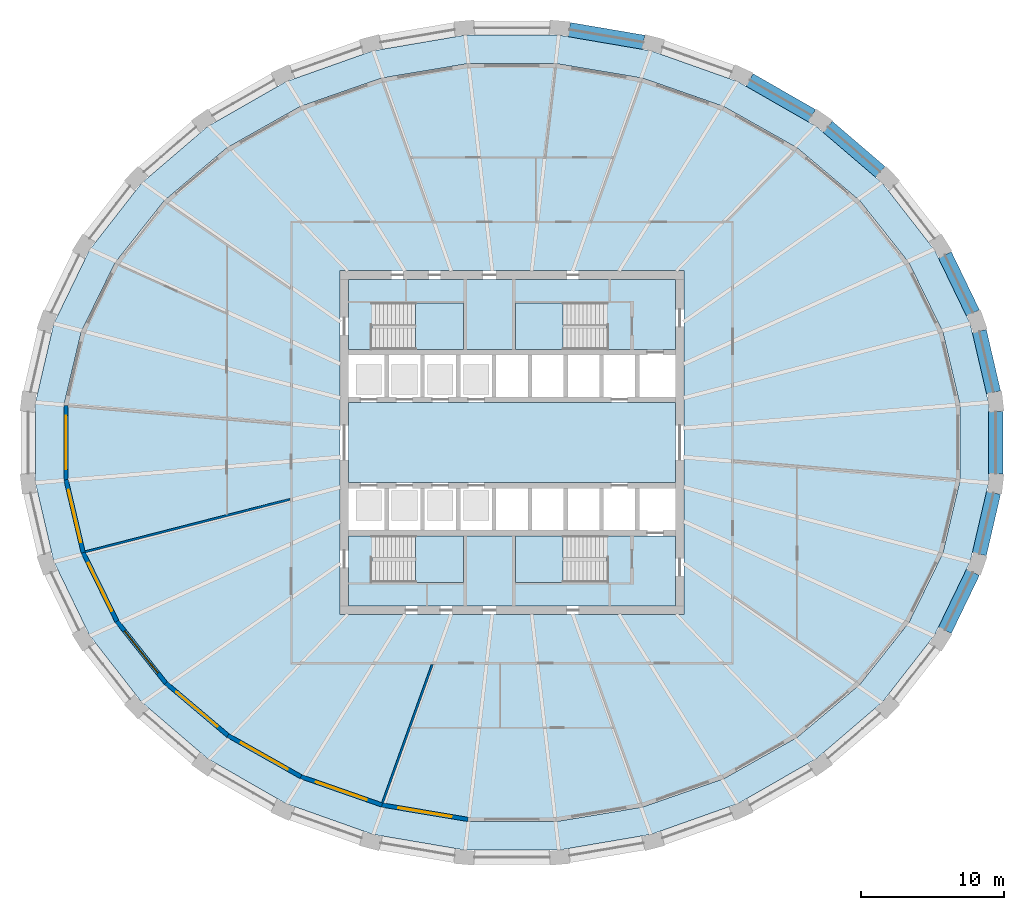
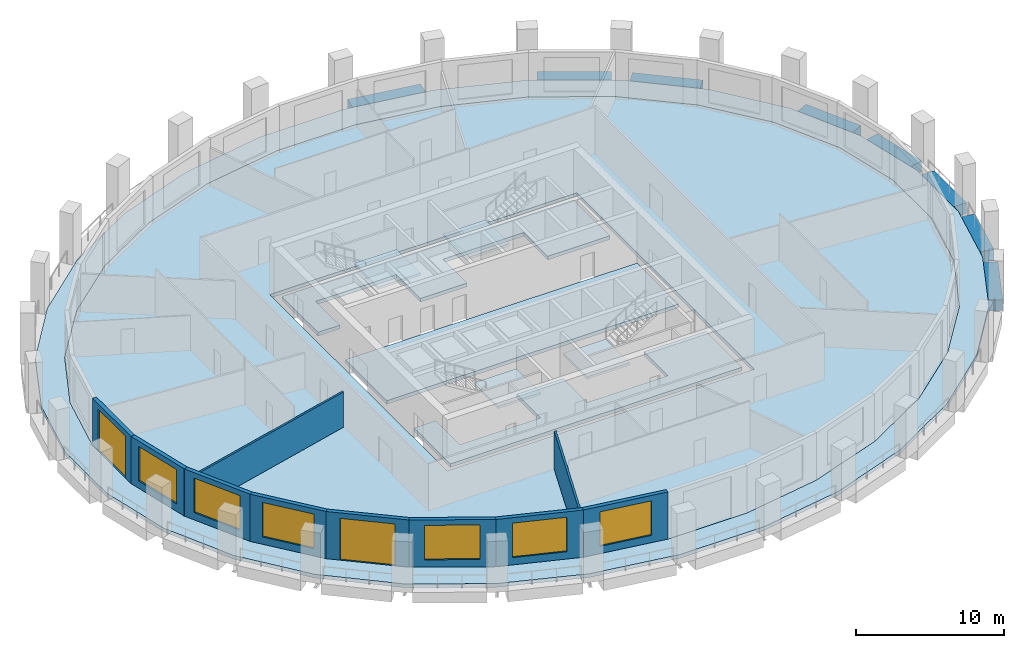
# One storey, part 2 of 10: 10 walls, 9 slabs, 8 beams, 6 windows, 2 doors, 8 openings, 4 elements without a shape of their own.
"""IFC4 building model written with IfcOpenShell, lengths in metres."""

from ifc_helpers import new_model, si_unit, direction, frame, frame_2d, origin, origin_2d, place, context, subcontext, project, spatial, polyline, rectangle, outline, extrude, material, layer, layer_set, material_profile, profile_set, type_object, element, fill, aggregate, save


model = new_model("IFC4")

# Units and contexts
model_context = context("Model", 3, precision=1e-05, world=origin(), true_north=direction((0.0, 1.0)))
body_context = subcontext(model_context, "Body", "Model", "MODEL_VIEW")
ifc_project = project(units=[si_unit("LENGTHUNIT", "METRE"), si_unit("AREAUNIT", "SQUARE_METRE"), si_unit("VOLUMEUNIT", "CUBIC_METRE"), si_unit("PLANEANGLEUNIT", "RADIAN"), si_unit("MASSUNIT", "GRAM", prefix="KILO")], contexts=[model_context])

# Site, building, storey
site_placement = place(None, origin())
site = spatial("IfcSite", under=ifc_project, at=site_placement, CompositionType="ELEMENT")
building_placement = place(site_placement, origin())
building = spatial("IfcBuilding", under=site, at=building_placement, Name="Halqa Exchange Tower", CompositionType="ELEMENT")
storey_placement = place(building_placement, frame((0.0, 0.0, 154.89990234375)))
storey = spatial("IfcBuildingStorey", under=building, at=storey_placement, Name="L35", CompositionType="ELEMENT", Elevation=154.89990234375)

# Beams
ifc_material_1 = material(Name="Concrete C60/75", Category="concrete")
ifc_material_profile = material_profile(ifc_material_1, rectangle(XDim=1.0, YDim=0.89990234375, at=origin_2d()), Name="1000 x 900")
ifc_profile_set = profile_set([ifc_material_profile], Name="Concrete C60/75")
beam_type = type_object("IfcBeamType", Name="RC spandrel beam 1000 x 900 C60/75", PredefinedType="SPANDREL", material=ifc_profile_set)
beam_1_placement = place(storey_placement, frame((33.60498046875, 3.508056640625, -0.449951171875), z_axis=(-0.226050480348, 0.974115588795, 0.0), x_axis=(-0.974115588795, -0.226050480348, 0.0)))
element("IfcBeam", 1, at=beam_1_placement, inside=storey, type_object=beam_type, Name="Spandrel 1", PredefinedType="SPANDREL", context=body_context, shape_type="SweptSolid", body=[
    extrude(rectangle(XDim=1.0, YDim=0.89990234375, at=origin_2d()), origin(), (0.0, 0.0, 1.0), 4.385986328125),
])
beam_2_placement = place(storey_placement, frame((32.166259765625, 9.048828125, -0.449951171875), z_axis=(-0.435099717308, 0.900382272148, 0.0), x_axis=(-0.900382272148, -0.435099717308, 0.0)))
element("IfcBeam", 2, at=beam_2_placement, inside=storey, type_object=beam_type, Name="Spandrel 2", PredefinedType="SPANDREL", context=body_context, shape_type="SweptSolid", body=[
    extrude(rectangle(XDim=1.0, YDim=0.89990234375, at=origin_2d()), origin(), (0.0, 0.0, 1.0), 4.497314453125),
])
beam_3_placement = place(storey_placement, frame((25.70849609375, 18.884521484375, -0.449951171875), z_axis=(-0.759260160399, 0.650787222394, 0.0), x_axis=(-0.650787222394, -0.759260160399, 0.0)))
element("IfcBeam", 3, at=beam_3_placement, inside=storey, type_object=beam_type, Name="Spandrel 4", PredefinedType="SPANDREL", context=body_context, shape_type="SweptSolid", body=[
    extrude(rectangle(XDim=1.0, YDim=0.89990234375, at=origin_2d()), origin(), (0.0, 0.0, 1.0), 4.843505859375),
])
beam_4_placement = place(storey_placement, frame((20.93359375, 22.810791015625, -0.449951171875), z_axis=(-0.867743165303, 0.497012876161, 0.0), x_axis=(-0.497012876161, -0.867743165303, 0.0)))
element("IfcBeam", 4, at=beam_4_placement, inside=storey, type_object=beam_type, Name="Spandrel 5", PredefinedType="SPANDREL", context=body_context, shape_type="SweptSolid", body=[
    extrude(rectangle(XDim=1.0, YDim=0.89990234375, at=origin_2d()), origin(), (0.0, 0.0, 1.0), 5.022705078125),
])
beam_5_placement = place(storey_placement, frame((9.1826171875, 27.936279296875, -0.449951171875), z_axis=(-0.985766792744, 0.168118500836, 0.0), x_axis=(-0.168118500836, -0.985766792744, 0.0)))
element("IfcBeam", 5, at=beam_5_placement, inside=storey, type_object=beam_type, Name="Spandrel 7", PredefinedType="SPANDREL", context=body_context, shape_type="SweptSolid", body=[
    extrude(rectangle(XDim=1.0, YDim=0.89990234375, at=origin_2d()), origin(), (0.0, 0.0, 1.0), 5.26708984375),
])
beam_6_placement = place(storey_placement, frame((30.20947265625, -13.09814453125, -0.449951171875), z_axis=(0.435099717308, 0.900382272148, 0.0), x_axis=(-0.900382272148, 0.435099717308, 0.0)))
element("IfcBeam", 6, at=beam_6_placement, inside=storey, type_object=beam_type, Name="Spandrel 30", PredefinedType="SPANDREL", context=body_context, shape_type="SweptSolid", body=[
    extrude(rectangle(XDim=1.0, YDim=0.89990234375, at=origin_2d()), origin(), (0.0, 0.0, 1.0), 4.497314453125),
])
beam_7_placement = place(storey_placement, frame((32.613525390625, -7.780517578125, -0.449951171875), z_axis=(0.226050480348, 0.974115588795, 0.0), x_axis=(-0.974115588795, 0.226050480348, 0.0)))
element("IfcBeam", 7, at=beam_7_placement, inside=storey, type_object=beam_type, Name="Spandrel 31", PredefinedType="SPANDREL", context=body_context, shape_type="SweptSolid", body=[
    extrude(rectangle(XDim=1.0, YDim=0.89990234375, at=origin_2d()), origin(), (0.0, 0.0, 1.0), 4.385986328125),
])
beam_8_placement = place(storey_placement, frame((33.7578125, -2.173828125, -0.449951171875), z_axis=(0.0, 1.0, 0.0), x_axis=(-1.0, 0.0, 0.0)))
element("IfcBeam", 8, at=beam_8_placement, inside=storey, type_object=beam_type, Name="Spandrel 32", PredefinedType="SPANDREL", context=body_context, shape_type="SweptSolid", body=[
    extrude(rectangle(XDim=1.0, YDim=0.89990234375, at=origin_2d()), origin(), (0.0, 0.0, 1.0), 4.34765625),
])

# Slabs
ifc_layer_1 = layer(ifc_material_1, 0.300048828125)
ifc_layer_set_1 = layer_set([ifc_layer_1], Name="Concrete C60/75")
slab_type_1 = type_object("IfcSlabType", Name="Core floor slab 300", PredefinedType="FLOOR", material=ifc_layer_set_1)
slab_1_placement = place(storey_placement, frame((0.0, 0.0, -0.2998046875)))
element("IfcSlab", 9, at=slab_1_placement, inside=storey, type_object=slab_type_1, Name="Core floor slab", PredefinedType="FLOOR", context=body_context, shape_type="SweptSolid", body=[
    extrude(outline(polyline([(-11.39990234375, 2.800048828125), (11.39990234375, 2.800048828125), (11.39990234375, -2.800048828125), (-11.39990234375, -2.800048828125), (-11.39990234375, 2.800048828125)])), origin(), (0.0, 0.0, 1.0), 0.2998046875),
])
slab_2_placement = place(storey_placement, frame((0.0, 0.0, -0.2998046875)))
element("IfcSlab", 10, at=slab_2_placement, inside=storey, type_object=slab_type_1, Name="Core floor slab", PredefinedType="FLOOR", context=body_context, shape_type="SweptSolid", body=[
    extrude(outline(polyline([(-11.39990234375, 11.39990234375), (11.39990234375, 11.39990234375), (11.39990234375, 6.5), (6.550048828125, 6.5), (6.550048828125, 9.75), (0.25, 9.75), (0.25, 6.5), (-3.39990234375, 6.5), (-3.39990234375, 9.75), (-9.699951171875, 9.75), (-9.699951171875, 6.5), (-11.39990234375, 6.5), (-11.39990234375, 11.39990234375)])), origin(), (0.0, 0.0, 1.0), 0.2998046875),
])
slab_3_placement = place(storey_placement, frame((0.0, 0.0, -0.2998046875)))
element("IfcSlab", 11, at=slab_3_placement, inside=storey, type_object=slab_type_1, Name="Core floor slab", PredefinedType="FLOOR", context=body_context, shape_type="SweptSolid", body=[
    extrude(outline(polyline([(-9.699951171875, -9.75), (-3.39990234375, -9.75), (-3.39990234375, -6.5), (0.25, -6.5), (0.25, -9.75), (6.550048828125, -9.75), (6.550048828125, -6.5), (11.39990234375, -6.5), (11.39990234375, -11.39990234375), (-11.39990234375, -11.39990234375), (-11.39990234375, -6.5), (-9.699951171875, -6.5), (-9.699951171875, -9.75)])), origin(), (0.0, 0.0, 1.0), 0.2998046875),
])
ifc_material_2 = material(Name="Concrete C40/50", Category="concrete")
ifc_layer_2 = layer(ifc_material_2, 0.300048828125)
ifc_layer_set_2 = layer_set([ifc_layer_2], Name="Concrete C40/50")
slab_type_2 = type_object("IfcSlabType", Name="RC floor slab 300", PredefinedType="FLOOR", material=ifc_layer_set_2)
slab_4_placement = place(storey_placement, frame((0.0, 0.0, -0.2998046875)))
element("IfcSlab", 12, at=slab_4_placement, inside=storey, type_object=slab_type_2, Name="Floor slab", PredefinedType="FLOOR", context=body_context, shape_type="SweptSolid", body=[
    extrude(outline(polyline([(31.271240234375, 2.6103515625), (30.065185546875, 7.72900390625), (27.70166015625, 12.547119140625), (24.2734375, 16.878662109375), (19.9150390625, 20.558349609375), (14.794677734375, 23.447021484375), (9.10888671875, 25.435302734375), (3.075439453125, 26.44873046875), (-3.075439453125, 26.44873046875), (-9.10888671875, 25.435302734375), (-14.794677734375, 23.447021484375), (-19.9150390625, 20.558349609375), (-24.2734375, 16.878662109375), (-27.70166015625, 12.547119140625), (-30.065185546875, 7.72900390625), (-31.271240234375, 2.6103515625), (-31.271240234375, -2.6103515625), (-30.065185546875, -7.72900390625), (-27.70166015625, -12.547119140625), (-24.2734375, -16.878662109375), (-19.9150390625, -20.558349609375), (-14.794677734375, -23.447021484375), (-9.10888671875, -25.435302734375), (-3.075439453125, -26.44873046875), (3.075439453125, -26.44873046875), (9.10888671875, -25.435302734375), (14.794677734375, -23.447021484375), (19.9150390625, -20.558349609375), (24.2734375, -16.878662109375), (27.70166015625, -12.547119140625), (30.065185546875, -7.72900390625), (31.271240234375, -2.6103515625), (31.271240234375, 2.6103515625)]), holes=[polyline([(-12.0, -12.0), (12.0, -12.0), (12.0, 12.0), (-12.0, 12.0), (-12.0, -12.0)])]), origin(), (0.0, 0.0, 1.0), 0.2998046875),
])
ifc_layer_3 = layer(ifc_material_2, 0.300048828125)
ifc_layer_set_3 = layer_set([ifc_layer_3], Name="Concrete C40/50")
slab_type_3 = type_object("IfcSlabType", Name="RC loggia slab 300", PredefinedType="FLOOR", material=ifc_layer_set_3)
slab_5_placement = place(storey_placement, frame((0.0, 0.0, -0.2998046875)))
element("IfcSlab", 13, at=slab_5_placement, inside=storey, type_object=slab_type_3, Name="Loggia slab", PredefinedType="FLOOR", context=body_context, shape_type="SweptSolid", body=[
    extrude(outline(polyline([(33.2578125, 2.79248046875), (33.2578125, -2.79248046875), (31.986083984375, -8.272705078125), (29.48876953125, -13.4404296875), (25.85791015625, -18.09814453125), (21.229736328125, -22.06494140625), (15.78076171875, -25.185791015625), (9.72021484375, -27.337646484375), (3.282470703125, -28.435302734375), (-3.282470703125, -28.435302734375), (-9.72021484375, -27.337646484375), (-15.78076171875, -25.185791015625), (-21.229736328125, -22.06494140625), (-25.85791015625, -18.09814453125), (-29.48876953125, -13.4404296875), (-31.986083984375, -8.272705078125), (-33.2578125, -2.79248046875), (-33.2578125, 2.79248046875), (-31.986083984375, 8.272705078125), (-29.48876953125, 13.4404296875), (-25.85791015625, 18.09814453125), (-21.229736328125, 22.06494140625), (-15.78076171875, 25.185791015625), (-9.72021484375, 27.337646484375), (-3.282470703125, 28.435302734375), (3.282470703125, 28.435302734375), (9.72021484375, 27.337646484375), (15.78076171875, 25.185791015625), (21.229736328125, 22.06494140625), (25.85791015625, 18.09814453125), (29.48876953125, 13.4404296875), (31.986083984375, 8.272705078125), (33.2578125, 2.79248046875)]), holes=[polyline([(31.271240234375, 2.6103515625), (30.065185546875, 7.72900390625), (27.70166015625, 12.547119140625), (24.2734375, 16.878662109375), (19.9150390625, 20.558349609375), (14.794677734375, 23.447021484375), (9.10888671875, 25.435302734375), (3.075439453125, 26.44873046875), (-3.075439453125, 26.44873046875), (-9.10888671875, 25.435302734375), (-14.794677734375, 23.447021484375), (-19.9150390625, 20.558349609375), (-24.2734375, 16.878662109375), (-27.70166015625, 12.547119140625), (-30.065185546875, 7.72900390625), (-31.271240234375, 2.6103515625), (-31.271240234375, -2.6103515625), (-30.065185546875, -7.72900390625), (-27.70166015625, -12.547119140625), (-24.2734375, -16.878662109375), (-19.9150390625, -20.558349609375), (-14.794677734375, -23.447021484375), (-9.10888671875, -25.435302734375), (-3.075439453125, -26.44873046875), (3.075439453125, -26.44873046875), (9.10888671875, -25.435302734375), (14.794677734375, -23.447021484375), (19.9150390625, -20.558349609375), (24.2734375, -16.878662109375), (27.70166015625, -12.547119140625), (30.065185546875, -7.72900390625), (31.271240234375, -2.6103515625), (31.271240234375, 2.6103515625)])]), origin(), (0.0, 0.0, 1.0), 0.2998046875),
])

# Stair, slab
ifc_material_3 = material(Name="Concrete C30/37", Category="concrete")
stair_type = type_object("IfcStairType", Name="Exit stair 1500 wide", PredefinedType="HALF_TURN_STAIR", material=ifc_material_3)
stair_1_placement = place(storey_placement, origin())
stair_1 = element("IfcStair", 14, at=stair_1_placement, inside=storey, type_object=stair_type, Name="Exit stair ST1", PredefinedType="HALF_TURN_STAIR")
ifc_layer_4 = layer(ifc_material_3, 0.199951171875)
ifc_layer_set_4 = layer_set([ifc_layer_4], Name="Concrete C30/37")
slab_type_4 = type_object("IfcSlabType", Name="Stair landing 200 slab", PredefinedType="LANDING", material=ifc_layer_set_4)
slab_6_placement = place(storey_placement, frame((0.0, 0.0, 1.900146484375)))
slab_6 = element("IfcSlab", 15, at=slab_6_placement, type_object=slab_type_4, Name="ST1 landing 1", PredefinedType="LANDING", context=body_context, shape_type="SweptSolid", body=[
    extrude(outline(polyline([(-6.719970703125, 6.5), (-3.39990234375, 6.5), (-3.39990234375, 9.75), (-6.719970703125, 9.75), (-6.719970703125, 6.5)])), origin(), (0.0, 0.0, 1.0), 0.199951171875),
])
aggregate(stair_1, [slab_6])

stair_2_placement = place(storey_placement, origin())
stair_2 = element("IfcStair", 16, at=stair_2_placement, inside=storey, type_object=stair_type, Name="Exit stair ST2", PredefinedType="HALF_TURN_STAIR")
slab_7_placement = place(storey_placement, frame((0.0, 0.0, 1.900146484375)))
slab_7 = element("IfcSlab", 17, at=slab_7_placement, type_object=slab_type_4, Name="ST2 landing 1", PredefinedType="LANDING", context=body_context, shape_type="SweptSolid", body=[
    extrude(outline(polyline([(0.25, 6.5), (3.570068359375, 6.5), (3.570068359375, 9.75), (0.25, 9.75), (0.25, 6.5)])), origin(), (0.0, 0.0, 1.0), 0.199951171875),
])
aggregate(stair_2, [slab_7])

stair_3_placement = place(storey_placement, origin())
stair_3 = element("IfcStair", 18, at=stair_3_placement, inside=storey, type_object=stair_type, Name="Exit stair ST3", PredefinedType="HALF_TURN_STAIR")
slab_8_placement = place(storey_placement, frame((0.0, 0.0, 1.900146484375)))
slab_8 = element("IfcSlab", 19, at=slab_8_placement, type_object=slab_type_4, Name="ST3 landing 1", PredefinedType="LANDING", context=body_context, shape_type="SweptSolid", body=[
    extrude(outline(polyline([(-6.719970703125, -9.75), (-3.39990234375, -9.75), (-3.39990234375, -6.5), (-6.719970703125, -6.5), (-6.719970703125, -9.75)])), origin(), (0.0, 0.0, 1.0), 0.199951171875),
])
aggregate(stair_3, [slab_8])

stair_4_placement = place(storey_placement, origin())
stair_4 = element("IfcStair", 20, at=stair_4_placement, inside=storey, type_object=stair_type, Name="Exit stair ST4", PredefinedType="HALF_TURN_STAIR")
slab_9_placement = place(storey_placement, frame((0.0, 0.0, 1.900146484375)))
slab_9 = element("IfcSlab", 21, at=slab_9_placement, type_object=slab_type_4, Name="ST4 landing 1", PredefinedType="LANDING", context=body_context, shape_type="SweptSolid", body=[
    extrude(outline(polyline([(0.25, -9.75), (3.570068359375, -9.75), (3.570068359375, -6.5), (0.25, -6.5), (0.25, -9.75)])), origin(), (0.0, 0.0, 1.0), 0.199951171875),
])
aggregate(stair_4, [slab_9])

# Walls
ifc_material_4 = material(Name="Fire-rated gypsum board")
ifc_layer_5 = layer(ifc_material_4, 0.14990234375)
ifc_layer_set_5 = layer_set([ifc_layer_5], Name="Fire-rated gypsum board")
wall_type_1 = type_object("IfcWallType", Name="Fire partition EI 60 150", PredefinedType="PARTITIONING", material=ifc_layer_set_5)
wall_1_placement = place(storey_placement, frame((-29.780517578125, -7.623291015625, 0.0), z_axis=(0.0, 0.0, 1.0), x_axis=(0.968729735343, 0.248118318272, 0.0)))
element("IfcWall", 22, at=wall_1_placement, inside=storey, type_object=wall_type_1, Name="L35-PWL-002", PredefinedType="PARTITIONING", context=body_context, shape_type="SweptSolid", body=[
    extrude(outline(polyline([(0.013427734375, -0.074951171875), (1.855224609375, -0.074951171875), (3.697021484375, -0.074951171875), (5.538818359375, -0.074951171875), (7.380615234375, -0.074951171875), (9.22265625, -0.074951171875), (11.064453125, -0.074951171875), (12.90625, -0.074951171875), (14.748046875, -0.074951171875), (14.7861328125, 0.073486328125), (14.7861328125, 0.074951171875), (13.28076171875, 0.074951171875), (11.775634765625, 0.074951171875), (10.270263671875, 0.074951171875), (10.270263671875, 0.074951171875), (10.27001953125, 0.074951171875), (8.558349609375, 0.074951171875), (6.8466796875, 0.074951171875), (5.135009765625, 0.074951171875), (3.42333984375, 0.074951171875), (1.711669921875, 0.074951171875), (0.0, 0.074951171875), (0.0, 0.070556640625), (0.0, -0.0107421875), (0.013427734375, -0.074951171875)])), origin(), (0.0, 0.0, 1.0), 2.91015625),
])
wall_2_placement = place(storey_placement, frame((-9.036865234375, -25.143310546875, 0.0), z_axis=(0.0, 0.0, 1.0), x_axis=(0.338668278724, 0.940905838533, 0.0)))
element("IfcWall", 23, at=wall_2_placement, inside=storey, type_object=wall_type_1, Name="L35-PWL-010", PredefinedType="PARTITIONING", context=body_context, shape_type="SweptSolid", body=[
    extrude(outline(polyline([(0.013671875, -0.074951171875), (1.892822265625, -0.074951171875), (3.77197265625, -0.074951171875), (5.651123046875, -0.074951171875), (5.652587890625, -0.074462890625), (5.65283203125, -0.074951171875), (7.20263671875, -0.074951171875), (8.75244140625, -0.074951171875), (10.30224609375, -0.074951171875), (10.30224609375, -0.07421875), (10.30029296875, -0.068603515625), (10.30029296875, -0.068603515625), (10.24853515625, 0.074951171875), (8.54052734375, 0.074951171875), (6.832275390625, 0.074951171875), (5.124267578125, 0.074951171875), (3.416259765625, 0.074951171875), (1.7080078125, 0.074951171875), (0.0, 0.074951171875), (0.0, 0.054443359375), (0.00048828125, -0.0029296875), (0.013671875, -0.074951171875)])), origin(), (0.0, 0.0, 1.0), 3.147216796875),
])

# Wall, opening, door
ifc_material_5 = material(Name="Limestone cladding", Category="masonry")
ifc_layer_6 = layer(ifc_material_5, 0.0400390625)
ifc_material_6 = material(Name="Ventilated cavity")
ifc_layer_7 = layer(ifc_material_6, 0.030029296875, ventilated=True)
ifc_material_7 = material(Name="Mineral wool insulation")
ifc_layer_8 = layer(ifc_material_7, 0.10009765625)
ifc_layer_9 = layer(ifc_material_3, 0.10009765625)
ifc_material_8 = material(Name="Internal plaster")
ifc_layer_10 = layer(ifc_material_8, 0.030029296875)
ifc_layer_set_6 = layer_set([ifc_layer_6, ifc_layer_7, ifc_layer_8, ifc_layer_9, ifc_layer_10], Name="Stone-faced insulated wall 300")
wall_type_2 = type_object("IfcWallType", Name="Stone-faced insulated wall 300", PredefinedType="STANDARD", material=ifc_layer_set_6)
wall_3_placement = place(storey_placement, frame((-31.12109375, 2.5927734375, 0.0), z_axis=(0.0, 0.0, 1.0), x_axis=(0.0, -1.0, 0.0)))
wall_3 = element("IfcWall", 24, at=wall_3_placement, inside=storey, type_object=wall_type_2, Name="Glass-line wall 16", PredefinedType="STANDARD", context=body_context, shape_type="SweptSolid", body=[
    extrude(outline(polyline([(-0.017333984375, -0.14990234375), (5.202880859375, -0.14990234375), (5.168212890625, 0.14990234375), (0.017333984375, 0.14990234375), (-0.017333984375, -0.14990234375)])), origin(), (0.0, 0.0, 1.0), 3.900146484375),
])
opening_1_placement = place(wall_3_placement, frame((0.7177734375, 0.0, 0.0)))
opening_1 = element("IfcOpeningElement", 25, at=opening_1_placement, cuts=wall_3, Name="Opening LG-F2-04", PredefinedType="OPENING", context=body_context, shape_type="SweptSolid", body=[
    extrude(rectangle(XDim=3.75, YDim=3.449951171875, at=frame_2d((1.875, 1.72509765625))), frame((0.0, 0.162109375, 0.0), z_axis=(0.0, -1.0, 0.0), x_axis=(1.0, 0.0, 0.0)), (0.0, 0.0, 1.0), 0.323974609375),
])
ifc_material_9 = material(Name="Clear low-emissivity glass in aluminium frame", Category="aluminium")
door_type = type_object("IfcDoorType", Name="Glazed sliding loggia door 3750 x 3450", OperationType="DOUBLE_DOOR_SLIDING", PredefinedType="DOOR", material=ifc_material_9)
door_1_placement = place(opening_1_placement, origin())
door_1 = element("IfcDoor", 26, at=door_1_placement, inside=storey, type_object=door_type, Name="Loggia door 4", OperationType="DOUBLE_DOOR_SLIDING", OverallHeight=3.449951171875, OverallWidth=3.75, PredefinedType="DOOR", context=body_context, shape_type="SweptSolid", body=[
    extrude(rectangle(XDim=3.75, YDim=3.449951171875, at=frame_2d((1.875, 1.72509765625))), frame((0.0, 0.02490234375, 0.0), z_axis=(0.0, -1.0, 0.0), x_axis=(1.0, 0.0, 0.0)), (0.0, 0.0, 1.0), 0.050048828125),
])
fill(opening_1, door_1)

# Wall, opening, window
wall_4_placement = place(storey_placement, frame((-31.12109375, -2.5927734375, 0.0), z_axis=(0.0, 0.0, 1.0), x_axis=(0.229297175564, -0.973356463624, 0.0)))
wall_4 = element("IfcWall", 27, at=wall_4_placement, inside=storey, type_object=wall_type_2, Name="Glass-line wall 17", PredefinedType="STANDARD", context=body_context, shape_type="SweptSolid", body=[
    extrude(outline(polyline([(-0.017333984375, -0.14990234375), (5.241455078125, -0.14990234375), (5.207763671875, 0.14990234375), (0.017333984375, 0.14990234375), (-0.017333984375, -0.14990234375)])), origin(), (0.0, 0.0, 1.0), 3.900146484375),
])
opening_2_placement = place(wall_4_placement, frame((0.7373046875, 0.0, 0.60009765625)))
opening_2 = element("IfcOpeningElement", 28, at=opening_2_placement, cuts=wall_4, Name="Opening W-F2-17", PredefinedType="OPENING", context=body_context, shape_type="SweptSolid", body=[
    extrude(rectangle(XDim=3.75, YDim=2.85009765625, at=frame_2d((1.875, 1.425048828125))), frame((0.0, 0.162109375, 0.0), z_axis=(0.0, -1.0, 0.0), x_axis=(1.0, 0.0, 0.0)), (0.0, 0.0, 1.0), 0.323974609375),
])
window_type = type_object("IfcWindowType", Name="Fixed clear glazed window 3750 x 2850", PartitioningType="TRIPLE_PANEL_VERTICAL", PredefinedType="WINDOW", material=ifc_material_9)
window_1_placement = place(opening_2_placement, origin())
window_1 = element("IfcWindow", 29, at=window_1_placement, inside=storey, type_object=window_type, Name="Window 2", OverallHeight=2.85009765625, OverallWidth=3.75, PartitioningType="TRIPLE_PANEL_VERTICAL", PredefinedType="WINDOW", context=body_context, shape_type="SweptSolid", body=[
    extrude(rectangle(XDim=3.75, YDim=2.85009765625, at=frame_2d((1.875, 1.425048828125))), frame((0.0, 0.030029296875, 0.0), z_axis=(0.0, -1.0, 0.0), x_axis=(1.0, 0.0, 0.0)), (0.0, 0.0, 1.0), 0.06005859375),
])
fill(opening_2, window_1)

wall_5_placement = place(storey_placement, frame((-29.923095703125, -7.67822265625, 0.0), z_axis=(0.0, 0.0, 1.0), x_axis=(0.440444485575, -0.897779847806, 0.0)))
wall_5 = element("IfcWall", 30, at=wall_5_placement, inside=storey, type_object=wall_type_2, Name="Glass-line wall 18", PredefinedType="STANDARD", context=body_context, shape_type="SweptSolid", body=[
    extrude(outline(polyline([(-0.016845703125, -0.14990234375), (5.349609375, -0.14990234375), (5.3173828125, 0.14990234375), (0.016845703125, 0.14990234375), (-0.016845703125, -0.14990234375)])), origin(), (0.0, 0.0, 1.0), 3.900146484375),
])
opening_3_placement = place(wall_5_placement, frame((0.791748046875, 0.0, 0.60009765625)))
opening_3 = element("IfcOpeningElement", 31, at=opening_3_placement, cuts=wall_5, Name="Opening W-F2-18", PredefinedType="OPENING", context=body_context, shape_type="SweptSolid", body=[
    extrude(rectangle(XDim=3.75, YDim=2.85009765625, at=frame_2d((1.875, 1.425048828125))), frame((0.0, 0.162109375, 0.0), z_axis=(0.0, -1.0, 0.0), x_axis=(1.0, 0.0, 0.0)), (0.0, 0.0, 1.0), 0.323974609375),
])
window_2_placement = place(opening_3_placement, origin())
window_2 = element("IfcWindow", 32, at=window_2_placement, inside=storey, type_object=window_type, Name="Window 2", OverallHeight=2.85009765625, OverallWidth=3.75, PartitioningType="TRIPLE_PANEL_VERTICAL", PredefinedType="WINDOW", context=body_context, shape_type="SweptSolid", body=[
    extrude(rectangle(XDim=3.75, YDim=2.85009765625, at=frame_2d((1.875, 1.425048828125))), frame((0.0, 0.030029296875, 0.0), z_axis=(0.0, -1.0, 0.0), x_axis=(1.0, 0.0, 0.0)), (0.0, 0.0, 1.0), 0.06005859375),
])
fill(opening_3, window_2)

wall_6_placement = place(storey_placement, frame((-27.573974609375, -12.466552734375, 0.0), z_axis=(0.0, 0.0, 1.0), x_axis=(0.620577705153, -0.784144955902, 0.0)))
wall_6 = element("IfcWall", 33, at=wall_6_placement, inside=storey, type_object=wall_type_2, Name="Glass-line wall 19", PredefinedType="STANDARD", context=body_context, shape_type="SweptSolid", body=[
    extrude(outline(polyline([(-0.01611328125, -0.14990234375), (5.5078125, -0.14990234375), (5.4775390625, 0.14990234375), (0.01611328125, 0.14990234375), (-0.01611328125, -0.14990234375)])), origin(), (0.0, 0.0, 1.0), 3.900146484375),
])
opening_4_placement = place(wall_6_placement, frame((0.871337890625, 0.0, 0.60009765625)))
opening_4 = element("IfcOpeningElement", 34, at=opening_4_placement, cuts=wall_6, Name="Opening W-F2-19", PredefinedType="OPENING", context=body_context, shape_type="SweptSolid", body=[
    extrude(rectangle(XDim=3.75, YDim=2.85009765625, at=frame_2d((1.875, 1.425048828125))), frame((0.0, 0.162109375, 0.0), z_axis=(0.0, -1.0, 0.0), x_axis=(1.0, 0.0, 0.0)), (0.0, 0.0, 1.0), 0.323974609375),
])
window_3_placement = place(opening_4_placement, origin())
window_3 = element("IfcWindow", 35, at=window_3_placement, inside=storey, type_object=window_type, Name="Window 2", OverallHeight=2.85009765625, OverallWidth=3.75, PartitioningType="TRIPLE_PANEL_VERTICAL", PredefinedType="WINDOW", context=body_context, shape_type="SweptSolid", body=[
    extrude(rectangle(XDim=3.75, YDim=2.85009765625, at=frame_2d((1.875, 1.425048828125))), frame((0.0, 0.030029296875, 0.0), z_axis=(0.0, -1.0, 0.0), x_axis=(1.0, 0.0, 0.0)), (0.0, 0.0, 1.0), 0.06005859375),
])
fill(opening_4, window_3)

# Wall, opening, door
wall_7_placement = place(storey_placement, frame((-24.165283203125, -16.773681640625, 0.0), z_axis=(0.0, 0.0, 1.0), x_axis=(0.764076096085, -0.645126126732, 0.0)))
wall_7 = element("IfcWall", 36, at=wall_7_placement, inside=storey, type_object=wall_type_2, Name="Glass-line wall 20", PredefinedType="STANDARD", context=body_context, shape_type="SweptSolid", body=[
    extrude(outline(polyline([(-0.01513671875, -0.14990234375), (5.689208984375, -0.14990234375), (5.660888671875, 0.14990234375), (0.01513671875, 0.14990234375), (-0.01513671875, -0.14990234375)])), origin(), (0.0, 0.0, 1.0), 3.900146484375),
])
opening_5_placement = place(wall_7_placement, frame((0.96240234375, 0.0, 0.0)))
opening_5 = element("IfcOpeningElement", 37, at=opening_5_placement, cuts=wall_7, Name="Opening LG-F2-05", PredefinedType="OPENING", context=body_context, shape_type="SweptSolid", body=[
    extrude(rectangle(XDim=3.75, YDim=3.449951171875, at=frame_2d((1.875, 1.72509765625))), frame((0.0, 0.162109375, 0.0), z_axis=(0.0, -1.0, 0.0), x_axis=(1.0, 0.0, 0.0)), (0.0, 0.0, 1.0), 0.323974609375),
])
door_2_placement = place(opening_5_placement, origin())
door_2 = element("IfcDoor", 38, at=door_2_placement, inside=storey, type_object=door_type, Name="Loggia door 5", OperationType="DOUBLE_DOOR_SLIDING", OverallHeight=3.449951171875, OverallWidth=3.75, PredefinedType="DOOR", context=body_context, shape_type="SweptSolid", body=[
    extrude(rectangle(XDim=3.75, YDim=3.449951171875, at=frame_2d((1.875, 1.72509765625))), frame((0.0, 0.02490234375, 0.0), z_axis=(0.0, -1.0, 0.0), x_axis=(1.0, 0.0, 0.0)), (0.0, 0.0, 1.0), 0.050048828125),
])
fill(opening_5, door_2)

# Wall, opening, window
wall_8_placement = place(storey_placement, frame((-19.8291015625, -20.434814453125, 0.0), z_axis=(0.0, 0.0, 1.0), x_axis=(0.870982130072, -0.491314694565, 0.0)))
wall_8 = element("IfcWall", 39, at=wall_8_placement, inside=storey, type_object=wall_type_2, Name="Glass-line wall 21", PredefinedType="STANDARD", context=body_context, shape_type="SweptSolid", body=[
    extrude(outline(polyline([(-0.01416015625, -0.14990234375), (5.864990234375, -0.14990234375), (5.838134765625, 0.14990234375), (0.01416015625, 0.14990234375), (-0.01416015625, -0.14990234375)])), origin(), (0.0, 0.0, 1.0), 3.900146484375),
])
opening_6_placement = place(wall_8_placement, frame((1.05078125, 0.0, 0.60009765625)))
opening_6 = element("IfcOpeningElement", 40, at=opening_6_placement, cuts=wall_8, Name="Opening W-F2-21", PredefinedType="OPENING", context=body_context, shape_type="SweptSolid", body=[
    extrude(rectangle(XDim=3.75, YDim=2.85009765625, at=frame_2d((1.875, 1.425048828125))), frame((0.0, 0.162109375, 0.0), z_axis=(0.0, -1.0, 0.0), x_axis=(1.0, 0.0, 0.0)), (0.0, 0.0, 1.0), 0.323974609375),
])
window_4_placement = place(opening_6_placement, origin())
window_4 = element("IfcWindow", 41, at=window_4_placement, inside=storey, type_object=window_type, Name="Window 2", OverallHeight=2.85009765625, OverallWidth=3.75, PartitioningType="TRIPLE_PANEL_VERTICAL", PredefinedType="WINDOW", context=body_context, shape_type="SweptSolid", body=[
    extrude(rectangle(XDim=3.75, YDim=2.85009765625, at=frame_2d((1.875, 1.425048828125))), frame((0.0, 0.030029296875, 0.0), z_axis=(0.0, -1.0, 0.0), x_axis=(1.0, 0.0, 0.0)), (0.0, 0.0, 1.0), 0.06005859375),
])
fill(opening_6, window_4)

wall_9_placement = place(storey_placement, frame((-14.732421875, -23.309814453125, 0.0), z_axis=(0.0, 0.0, 1.0), x_axis=(0.943944636678, -0.330103806228, 0.0)))
wall_9 = element("IfcWall", 42, at=wall_9_placement, inside=storey, type_object=wall_type_2, Name="Glass-line wall 22", PredefinedType="STANDARD", context=body_context, shape_type="SweptSolid", body=[
    extrude(outline(polyline([(-0.013427734375, -0.14990234375), (6.010009765625, -0.14990234375), (5.984619140625, 0.14990234375), (0.013427734375, 0.14990234375), (-0.013427734375, -0.14990234375)])), origin(), (0.0, 0.0, 1.0), 3.900146484375),
])
opening_7_placement = place(wall_9_placement, frame((1.12353515625, 0.0, 0.60009765625)))
opening_7 = element("IfcOpeningElement", 43, at=opening_7_placement, cuts=wall_9, Name="Opening W-F2-22", PredefinedType="OPENING", context=body_context, shape_type="SweptSolid", body=[
    extrude(rectangle(XDim=3.75, YDim=2.85009765625, at=frame_2d((1.875, 1.425048828125))), frame((0.0, 0.162109375, 0.0), z_axis=(0.0, -1.0, 0.0), x_axis=(1.0, 0.0, 0.0)), (0.0, 0.0, 1.0), 0.323974609375),
])
window_5_placement = place(opening_7_placement, origin())
window_5 = element("IfcWindow", 44, at=window_5_placement, inside=storey, type_object=window_type, Name="Window 2", OverallHeight=2.85009765625, OverallWidth=3.75, PartitioningType="TRIPLE_PANEL_VERTICAL", PredefinedType="WINDOW", context=body_context, shape_type="SweptSolid", body=[
    extrude(rectangle(XDim=3.75, YDim=2.85009765625, at=frame_2d((1.875, 1.425048828125))), frame((0.0, 0.030029296875, 0.0), z_axis=(0.0, -1.0, 0.0), x_axis=(1.0, 0.0, 0.0)), (0.0, 0.0, 1.0), 0.06005859375),
])
fill(opening_7, window_5)

wall_10_placement = place(storey_placement, frame((-9.0712890625, -25.28955078125, 0.0), z_axis=(0.0, 0.0, 1.0), x_axis=(0.98618955457, -0.165620537547, 0.0)))
wall_10 = element("IfcWall", 45, at=wall_10_placement, inside=storey, type_object=wall_type_2, Name="Glass-line wall 23", PredefinedType="STANDARD", context=body_context, shape_type="SweptSolid", body=[
    extrude(outline(polyline([(-0.0126953125, -0.14990234375), (6.10498046875, -0.14990234375), (6.080078125, 0.14990234375), (0.0126953125, 0.14990234375), (-0.0126953125, -0.14990234375)])), origin(), (0.0, 0.0, 1.0), 3.900146484375),
])
opening_8_placement = place(wall_10_placement, frame((1.17138671875, 0.0, 0.60009765625)))
opening_8 = element("IfcOpeningElement", 46, at=opening_8_placement, cuts=wall_10, Name="Opening W-F2-23", PredefinedType="OPENING", context=body_context, shape_type="SweptSolid", body=[
    extrude(rectangle(XDim=3.75, YDim=2.85009765625, at=frame_2d((1.875, 1.425048828125))), frame((0.0, 0.162109375, 0.0), z_axis=(0.0, -1.0, 0.0), x_axis=(1.0, 0.0, 0.0)), (0.0, 0.0, 1.0), 0.323974609375),
])
window_6_placement = place(opening_8_placement, origin())
window_6 = element("IfcWindow", 47, at=window_6_placement, inside=storey, type_object=window_type, Name="Window 2", OverallHeight=2.85009765625, OverallWidth=3.75, PartitioningType="TRIPLE_PANEL_VERTICAL", PredefinedType="WINDOW", context=body_context, shape_type="SweptSolid", body=[
    extrude(rectangle(XDim=3.75, YDim=2.85009765625, at=frame_2d((1.875, 1.425048828125))), frame((0.0, 0.030029296875, 0.0), z_axis=(0.0, -1.0, 0.0), x_axis=(1.0, 0.0, 0.0)), (0.0, 0.0, 1.0), 0.06005859375),
])
fill(opening_8, window_6)

save(model, "model.ifc")
